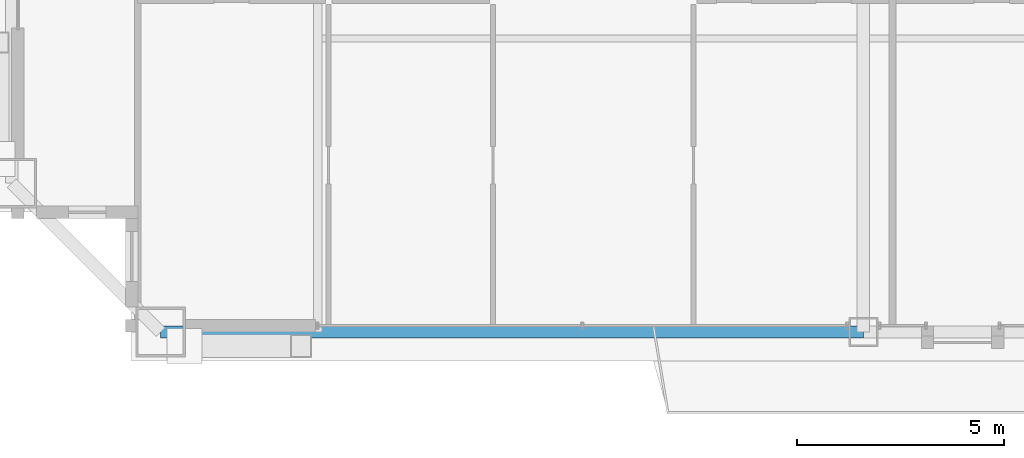
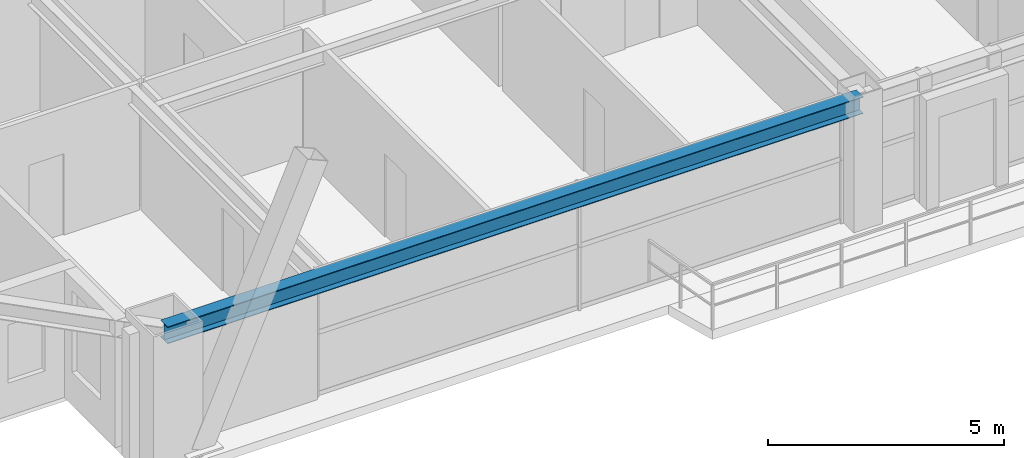
# One storey, part 4 of 35: 1 beam.
"""IFC4 building model written with IfcOpenShell, lengths in metres."""

from ifc_helpers import new_model, si_unit, direction, frame, origin, origin_2d, place, context, subcontext, project, spatial, i_section, extrude, source, transform, mapped, material, material_profile, profile_set, type_object, element, save


model = new_model("IFC4")

# Units and contexts
model_context = context("Model", 3, precision=1e-05, world=origin(), true_north=direction((0.0, 1.0)))
body_context = subcontext(model_context, "Body", "Model", "MODEL_VIEW")
ifc_project = project(units=[si_unit("LENGTHUNIT", "METRE"), si_unit("AREAUNIT", "SQUARE_METRE"), si_unit("VOLUMEUNIT", "CUBIC_METRE"), si_unit("PLANEANGLEUNIT", "RADIAN"), si_unit("MASSUNIT", "GRAM", prefix="KILO"), si_unit("THERMODYNAMICTEMPERATUREUNIT", "KELVIN"), si_unit("POWERUNIT", "WATT")], contexts=[model_context])

# Site, building, storey
site_placement = place(None, origin())
site = spatial("IfcSite", under=ifc_project, at=site_placement, CompositionType="ELEMENT")
building_placement = place(site_placement, origin())
building = spatial("IfcBuilding", under=site, at=building_placement, Name="Yuzanri Waterfront Tower", CompositionType="ELEMENT")
storey_placement = place(building_placement, frame((0.0, 0.0, 227.60009765625)))
storey = spatial("IfcBuildingStorey", under=building, at=storey_placement, Name="L60", CompositionType="ELEMENT", Elevation=227.60009765625)

# Beam
ifc_material = material(Name="Steel Q355B", Category="steel")
ifc_material_profile = material_profile(ifc_material, i_section(OverallWidth=0.300048828125, OverallDepth=0.43994140625, WebThickness=0.010986328125, FlangeThickness=0.01806640625, at=origin_2d()), Name="HM 440x300x11x18")
ifc_profile_set = profile_set([ifc_material_profile], Name="Steel Q355B")
beam_type = type_object("IfcBeamType", Name="Perimeter Spandrel Q355B HM 440x300", PredefinedType="SPANDREL", material=ifc_profile_set)
shared_shape = source(origin(), body_context, "Body", "SweptSolid", [
    extrude(i_section(OverallWidth=0.300048828125, OverallDepth=0.43994140625, WebThickness=0.010986328125, FlangeThickness=0.01806640625, at=origin_2d()), origin(), (0.0, 0.0, 1.0), 17.0),
])
beam_placement = place(storey_placement, frame((20.0, 5.199951171875, 3.059814453125), z_axis=(1.0, 0.0, 0.0), x_axis=(0.0, 1.0, 0.0)))
element("IfcBeam", 1, at=beam_placement, inside=storey, type_object=beam_type, Name="L60 Perimeter Spandrel S1-S2", PredefinedType="SPANDREL", context=body_context, shape_type="MappedRepresentation", body=[
    mapped(shared_shape, transform((0.0, 0.0, 0.0), scale=1.0)),
])

save(model, "model.ifc")
